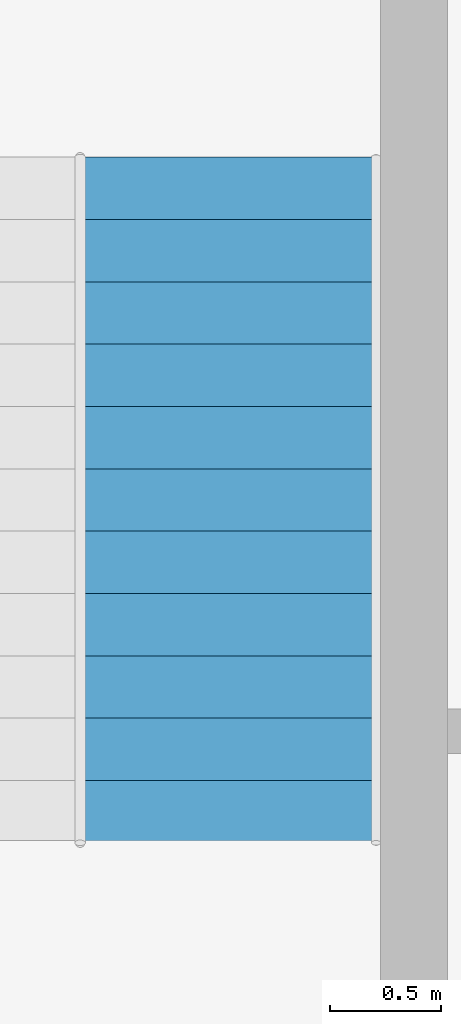
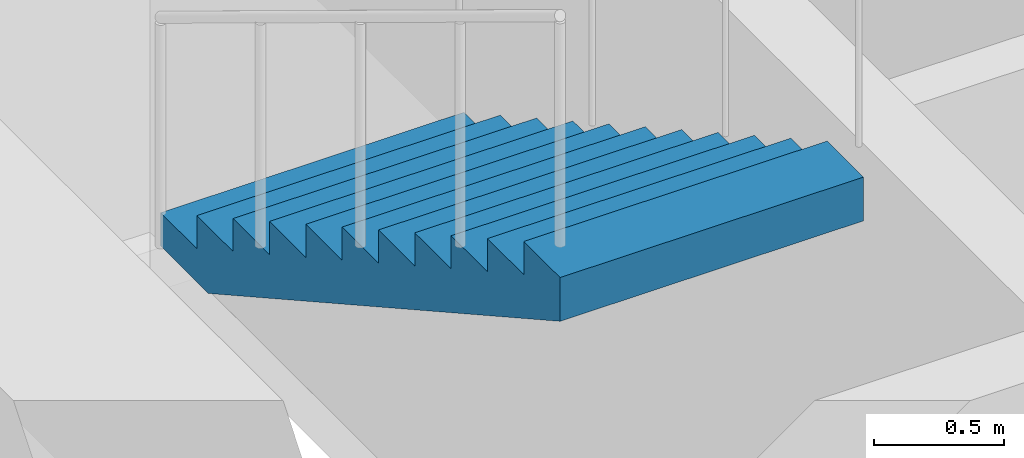
# One storey, part 15 of 16: 1 stair flight, 1 element without a shape of its own.
"""IFC4 building model written with IfcOpenShell, lengths in metres."""

from ifc_helpers import new_model, si_unit, direction, frame, origin, place, context, subcontext, project, spatial, polyline, outline, extrude, material, type_object, element, aggregate, save


model = new_model("IFC4")

# Units and contexts
model_context = context("Model", 3, precision=1e-05, world=origin(), true_north=direction((0.0, 1.0)))
body_context = subcontext(model_context, "Body", "Model", "MODEL_VIEW")
ifc_project = project(units=[si_unit("LENGTHUNIT", "METRE"), si_unit("AREAUNIT", "SQUARE_METRE"), si_unit("VOLUMEUNIT", "CUBIC_METRE"), si_unit("PLANEANGLEUNIT", "RADIAN"), si_unit("MASSUNIT", "GRAM", prefix="KILO")], contexts=[model_context])

# Site, building, storey
site_placement = place(None, origin())
site = spatial("IfcSite", under=ifc_project, at=site_placement, CompositionType="ELEMENT")
building_placement = place(site_placement, origin())
building = spatial("IfcBuilding", under=site, at=building_placement, Name="Impinga Residences", CompositionType="ELEMENT")
storey_placement = place(building_placement, frame((0.0, 0.0, 78.5)))
storey = spatial("IfcBuildingStorey", under=building, at=storey_placement, Name="L19", CompositionType="ELEMENT", Elevation=78.5)

# Stair, stair flight
ifc_material = material(Name="Concrete C40/50", Category="concrete")
stair_type = type_object("IfcStairType", Name="STR wing stair 3750 storey, 24 risers", PredefinedType="HALF_TURN_STAIR", material=ifc_material)
stair_placement = place(storey_placement, origin())
stair = element("IfcStair", 1, at=stair_placement, inside=storey, type_object=stair_type, Name="Stair WS1 L19", PredefinedType="HALF_TURN_STAIR")
stair_flight_type = type_object("IfcStairFlightType", Name="SF 12 risers of 156", PredefinedType="STRAIGHT", material=ifc_material)
stair_flight_placement = place(storey_placement, frame((3.77490234375, 25.21142578125, 1.875), z_axis=(0.0, 0.0, 1.0), x_axis=(0.0, -1.0, 0.0)))
stair_flight = element("IfcStairFlight", 2, at=stair_flight_placement, type_object=stair_flight_type, Name="WS1 flight 2", NumberOfRisers=12, NumberOfTreads=11, PredefinedType="STRAIGHT", RiserHeight=0.15625, TreadLength=0.28, context=body_context, shape_type="SweptSolid", body=[
    extrude(outline(polyline([(0.0, 0.0), (0.0, 0.15625), (0.280029296875, 0.15625), (0.280029296875, 0.3125), (0.56005859375, 0.3125), (0.56005859375, 0.46875), (0.840087890625, 0.46875), (0.840087890625, 0.625), (1.1201171875, 0.625), (1.1201171875, 0.78125), (1.39990234375, 0.78125), (1.39990234375, 0.9375), (1.679931640625, 0.9375), (1.679931640625, 1.09375), (1.9599609375, 1.09375), (1.9599609375, 1.25), (2.239990234375, 1.25), (2.239990234375, 1.40625), (2.52001953125, 1.40625), (2.52001953125, 1.5625), (2.800048828125, 1.5625), (2.800048828125, 1.71875), (3.080078125, 1.71875), (3.080078125, 1.875), (3.080078125, 1.5126953125), (0.369140625, 0.0), (0.0, 0.0)])), frame((0.0, 0.675048828125, 0.0), z_axis=(0.0, -1.0, 0.0), x_axis=(1.0, 0.0, 0.0)), (0.0, 0.0, 1.0), 1.35009765625),
])
aggregate(stair, [stair_flight])

save(model, "model.ifc")
